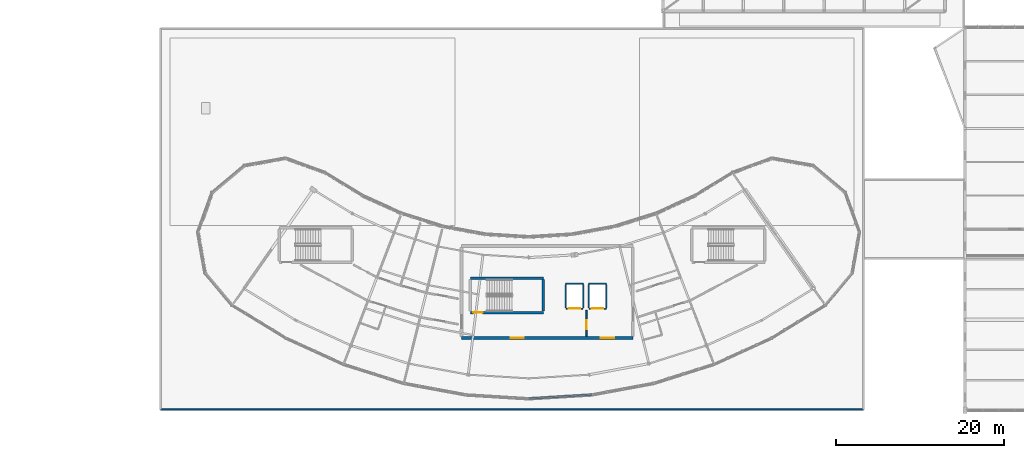
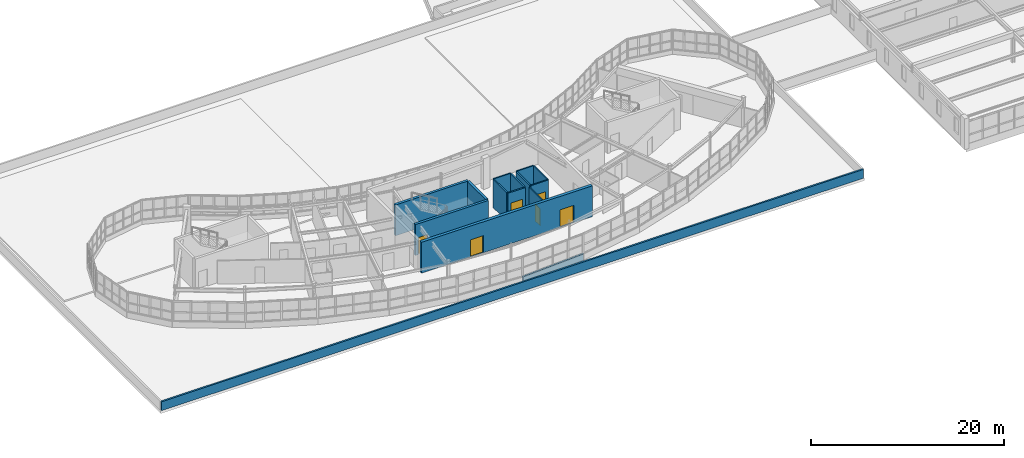
# One storey, part 102 of 128: 15 walls, 6 doors, 6 openings.
"""IFC4 building model written with IfcOpenShell, lengths in metres."""

from ifc_helpers import new_model, si_unit, direction, frame, frame_2d, origin, place, context, subcontext, project, spatial, rectangle, extrude, material, layer, layer_set, type_object, element, fill, save


model = new_model("IFC4")

# Units and contexts
model_context = context("Model", 3, precision=1e-05, world=origin(), true_north=direction((0.0, 1.0)))
body_context = subcontext(model_context, "Body", "Model", "MODEL_VIEW")
ifc_project = project(units=[si_unit("LENGTHUNIT", "METRE"), si_unit("AREAUNIT", "SQUARE_METRE"), si_unit("VOLUMEUNIT", "CUBIC_METRE"), si_unit("PLANEANGLEUNIT", "RADIAN"), si_unit("MASSUNIT", "GRAM", prefix="KILO")], contexts=[model_context])

# Site, building, storey
site_placement = place(None, origin())
site = spatial("IfcSite", under=ifc_project, at=site_placement, CompositionType="ELEMENT")
building_placement = place(site_placement, origin())
building = spatial("IfcBuilding", under=site, at=building_placement, Name="Tarnwether General Hospital", CompositionType="ELEMENT")
storey_placement = place(building_placement, frame((0.0, 0.0, 14.39990234375)))
storey = spatial("IfcBuildingStorey", under=building, at=storey_placement, Name="L03", CompositionType="ELEMENT", Elevation=14.39990234375)

# Walls
ifc_material_1 = material(Name="Streamlined white enamelled aluminium", Category="aluminium")
ifc_layer_1 = layer(ifc_material_1, 0.219970703125)
ifc_layer_set_1 = layer_set([ifc_layer_1], Name="Streamlined white enamelled aluminium")
wall_type_1 = type_object("IfcWallType", Name="WL-EX220", PredefinedType="STANDARD", material=ifc_layer_set_1)
wall_1_placement = place(storey_placement, frame((99.507080078125, 1.85888671875, 0.0), z_axis=(0.0, 0.0, 1.0), x_axis=(-0.99813616181, -0.061026244242, 0.0)))
element("IfcWall", 1, at=wall_1_placement, inside=storey, type_object=wall_type_1, Name="Ward SE Streamlined White Spandrel EW-L03-0160", PredefinedType="STANDARD", context=body_context, shape_type="SweptSolid", body=[
    extrude(rectangle(XDim=7.52099609375, YDim=0.219970703125, at=frame_2d((3.760498046875, 0.0))), origin(), (0.0, 0.0, 1.0), 1.050048828125),
])
ifc_material_2 = material(Name="Precast concrete 40 MPa", Category="concrete")
ifc_layer_2 = layer(ifc_material_2, 0.199951171875)
ifc_layer_set_2 = layer_set([ifc_layer_2], Name="Precast concrete 40 MPa")
wall_type_2 = type_object("IfcWallType", Name="WL-PR200", PredefinedType="PARAPET", material=ifc_layer_set_2)
wall_2_placement = place(storey_placement, frame((131.89990234375, 0.10009765625, 0.330078125), z_axis=(0.0, 0.0, 1.0), x_axis=(-1.0, 0.0, 0.0)))
element("IfcWall", 2, at=wall_2_placement, inside=storey, type_object=wall_type_2, Name="Flat Roof Parapet EW-L03-0358", PredefinedType="PARAPET", context=body_context, shape_type="SweptSolid", body=[
    extrude(rectangle(XDim=83.7998046875, YDim=0.199951171875, at=frame_2d((41.89990234375, 0.0))), origin(), (0.0, 0.0, 1.0), 1.1201171875),
])

# Wall, opening, door
ifc_material_3 = material(Name="Gypsum plasterboard")
ifc_layer_3 = layer(ifc_material_3, 0.159912109375)
ifc_layer_set_3 = layer_set([ifc_layer_3], Name="Gypsum plasterboard")
wall_type_3 = type_object("IfcWallType", Name="WL-PT160", PredefinedType="PARTITIONING", material=ifc_layer_set_3)
wall_3_placement = place(storey_placement, frame((96.409912109375, 12.110107421875, 0.0), z_axis=(0.0, 0.0, 1.0), x_axis=(1.0, 0.0, 0.0)))
wall_3 = element("IfcWall", 3, at=wall_3_placement, inside=storey, type_object=wall_type_3, Name="Lift L-02 Shaft Wall LSH-L-02-L03-S", PredefinedType="PARTITIONING", context=body_context, shape_type="SweptSolid", body=[
    extrude(rectangle(XDim=2.080078125, YDim=0.159912109375, at=frame_2d((1.0400390625, 0.0))), origin(), (0.0, 0.0, 1.0), 3.56005859375),
])
opening_1_placement = place(wall_3_placement, frame((0.340087890625, 0.0, 0.0)))
opening_1 = element("IfcOpeningElement", 4, at=opening_1_placement, cuts=wall_3, Name="Opening LD-01", PredefinedType="OPENING", context=body_context, shape_type="SweptSolid", body=[
    extrude(rectangle(XDim=1.39990234375, YDim=2.199951171875, at=frame_2d((0.699951171875, 1.10009765625))), frame((0.0, 0.08984375, 0.0), z_axis=(0.0, -1.0, 0.0), x_axis=(1.0, 0.0, 0.0)), (0.0, 0.0, 1.0), 0.179931640625),
])
ifc_material_4 = material(Name="Anodised aluminium", Category="aluminium")
door_type_1 = type_object("IfcDoorType", Name="DR-LD01", OperationType="NOTDEFINED", PredefinedType="DOOR", material=ifc_material_4)
door_1_placement = place(opening_1_placement, origin())
door_1 = element("IfcDoor", 5, at=door_1_placement, inside=storey, type_object=door_type_1, Name="Lift L-02 Sliding Landing Door L03", OperationType="SLIDING_TO_LEFT", OverallHeight=2.199951171875, OverallWidth=1.39990234375, PredefinedType="DOOR", context=body_context, shape_type="SweptSolid", body=[
    extrude(rectangle(XDim=1.39990234375, YDim=2.199951171875, at=frame_2d((0.699951171875, 1.10009765625))), frame((0.0, 0.02490234375, 0.0), z_axis=(0.0, -1.0, 0.0), x_axis=(1.0, 0.0, 0.0)), (0.0, 0.0, 1.0), 0.050048828125),
])
fill(opening_1, door_1)

# Walls
wall_4_placement = place(storey_placement, frame((98.489990234375, 15.090087890625, 0.0), z_axis=(0.0, 0.0, 1.0), x_axis=(-1.0, 0.0, 0.0)))
element("IfcWall", 6, at=wall_4_placement, inside=storey, type_object=wall_type_3, Name="Lift L-02 Shaft Wall LSH-L-02-L03-N", PredefinedType="PARTITIONING", context=body_context, shape_type="SweptSolid", body=[
    extrude(rectangle(XDim=2.080078125, YDim=0.159912109375, at=frame_2d((1.0400390625, 0.0))), origin(), (0.0, 0.0, 1.0), 3.56005859375),
])
for number, where, z_axis, x_axis, name in (
    (7, (96.409912109375, 14.989990234375, 0.0), (0.0, 0.0, 1.0), (0.0, -1.0, 0.0), "Lift L-02 Shaft Wall LSH-L-02-L03-W"),
    (8, (98.489990234375, 12.2099609375, 0.0), (0.0, 0.0, 1.0), (0.0, 1.0, 0.0), "Lift L-02 Shaft Wall LSH-L-02-L03-E"),
):
    element("IfcWall", number, at=place(storey_placement, frame(where, z_axis=z_axis, x_axis=x_axis)), inside=storey, type_object=wall_type_3, Name=name, PredefinedType="PARTITIONING", context=body_context, shape_type="SweptSolid", body=[
        extrude(rectangle(XDim=2.780029296875, YDim=0.159912109375, at=frame_2d((1.39013671875, 0.0))), origin(), (0.0, 0.0, 1.0), 3.56005859375),
    ])

# Wall, opening, door
wall_5_placement = place(storey_placement, frame((99.159912109375, 12.110107421875, 0.0), z_axis=(0.0, 0.0, 1.0), x_axis=(1.0, 0.0, 0.0)))
wall_5 = element("IfcWall", 9, at=wall_5_placement, inside=storey, type_object=wall_type_3, Name="Lift L-04 Shaft Wall LSH-L-04-L03-S", PredefinedType="PARTITIONING", context=body_context, shape_type="SweptSolid", body=[
    extrude(rectangle(XDim=2.080078125, YDim=0.159912109375, at=frame_2d((1.0400390625, 0.0))), origin(), (0.0, 0.0, 1.0), 3.56005859375),
])
opening_2_placement = place(wall_5_placement, frame((0.340087890625, 0.0, 0.0)))
opening_2 = element("IfcOpeningElement", 10, at=opening_2_placement, cuts=wall_5, Name="Opening LD-01", PredefinedType="OPENING", context=body_context, shape_type="SweptSolid", body=[
    extrude(rectangle(XDim=1.39990234375, YDim=2.199951171875, at=frame_2d((0.699951171875, 1.10009765625))), frame((0.0, 0.08984375, 0.0), z_axis=(0.0, -1.0, 0.0), x_axis=(1.0, 0.0, 0.0)), (0.0, 0.0, 1.0), 0.179931640625),
])
door_2_placement = place(opening_2_placement, origin())
door_2 = element("IfcDoor", 11, at=door_2_placement, inside=storey, type_object=door_type_1, Name="Lift L-04 Sliding Landing Door L03", OperationType="SLIDING_TO_LEFT", OverallHeight=2.199951171875, OverallWidth=1.39990234375, PredefinedType="DOOR", context=body_context, shape_type="SweptSolid", body=[
    extrude(rectangle(XDim=1.39990234375, YDim=2.199951171875, at=frame_2d((0.699951171875, 1.10009765625))), frame((0.0, 0.02490234375, 0.0), z_axis=(0.0, -1.0, 0.0), x_axis=(1.0, 0.0, 0.0)), (0.0, 0.0, 1.0), 0.050048828125),
])
fill(opening_2, door_2)

# Walls
wall_6_placement = place(storey_placement, frame((101.239990234375, 15.090087890625, 0.0), z_axis=(0.0, 0.0, 1.0), x_axis=(-1.0, 0.0, 0.0)))
element("IfcWall", 12, at=wall_6_placement, inside=storey, type_object=wall_type_3, Name="Lift L-04 Shaft Wall LSH-L-04-L03-N", PredefinedType="PARTITIONING", context=body_context, shape_type="SweptSolid", body=[
    extrude(rectangle(XDim=2.080078125, YDim=0.159912109375, at=frame_2d((1.0400390625, 0.0))), origin(), (0.0, 0.0, 1.0), 3.56005859375),
])
for number, where, z_axis, x_axis, name in (
    (13, (99.159912109375, 14.989990234375, 0.0), (0.0, 0.0, 1.0), (0.0, -1.0, 0.0), "Lift L-04 Shaft Wall LSH-L-04-L03-W"),
    (14, (101.239990234375, 12.2099609375, 0.0), (0.0, 0.0, 1.0), (0.0, 1.0, 0.0), "Lift L-04 Shaft Wall LSH-L-04-L03-E"),
):
    element("IfcWall", number, at=place(storey_placement, frame(where, z_axis=z_axis, x_axis=x_axis)), inside=storey, type_object=wall_type_3, Name=name, PredefinedType="PARTITIONING", context=body_context, shape_type="SweptSolid", body=[
        extrude(rectangle(XDim=2.780029296875, YDim=0.159912109375, at=frame_2d((1.39013671875, 0.0))), origin(), (0.0, 0.0, 1.0), 3.56005859375),
    ])

# Wall, opening, door
wall_7_placement = place(storey_placement, frame((98.89990234375, 8.85009765625, 0.0), z_axis=(0.0, 0.0, 1.0), x_axis=(0.0, 1.0, 0.0)))
wall_7 = element("IfcWall", 15, at=wall_7_placement, inside=storey, type_object=wall_type_3, Name="Firefighting Lobby Divider K2 L03", PredefinedType="PARTITIONING", context=body_context, shape_type="SweptSolid", body=[
    extrude(rectangle(XDim=3.0498046875, YDim=0.159912109375, at=frame_2d((1.52490234375, 0.0))), origin(), (0.0, 0.0, 1.0), 3.56005859375),
])
opening_3_placement = place(wall_7_placement, frame((0.800048828125, 0.0, 0.0)))
opening_3 = element("IfcOpeningElement", 16, at=opening_3_placement, cuts=wall_7, Name="Opening FD-06", PredefinedType="OPENING", context=body_context, shape_type="SweptSolid", body=[
    extrude(rectangle(XDim=1.10009765625, YDim=2.14990234375, at=frame_2d((0.550048828125, 1.074951171875))), frame((0.0, 0.08984375, 0.0), z_axis=(0.0, -1.0, 0.0), x_axis=(1.0, 0.0, 0.0)), (0.0, 0.0, 1.0), 0.179931640625),
])
ifc_material_5 = material(Name="Anodised aluminium", Category="aluminium")
door_type_2 = type_object("IfcDoorType", Name="DR-FD06", OperationType="NOTDEFINED", PredefinedType="DOOR", material=ifc_material_5)
door_3_placement = place(opening_3_placement, origin())
door_3 = element("IfcDoor", 17, at=door_3_placement, inside=storey, type_object=door_type_2, Name="Core K2 Inter-Lobby Smoke Door L03", OperationType="SINGLE_SWING_RIGHT", OverallHeight=2.14990234375, OverallWidth=1.10009765625, PredefinedType="DOOR", context=body_context, shape_type="SweptSolid", body=[
    extrude(rectangle(XDim=1.10009765625, YDim=2.14990234375, at=frame_2d((0.550048828125, 1.074951171875))), frame((0.0, 0.02490234375, 0.0), z_axis=(0.0, -1.0, 0.0), x_axis=(1.0, 0.0, 0.0)), (0.0, 0.0, 1.0), 0.050048828125),
])
fill(opening_3, door_3)

ifc_material_6 = material(Name="Concrete 50 MPa", Category="concrete")
ifc_layer_4 = layer(ifc_material_6, 0.300048828125)
ifc_layer_set_4 = layer_set([ifc_layer_4], Name="Concrete 50 MPa")
wall_type_4 = type_object("IfcWallType", Name="WL-SW300", PredefinedType="SHEAR", material=ifc_layer_set_4)
wall_8_placement = place(storey_placement, frame((85.050048828125, 11.64990234375, 0.0), z_axis=(0.0, 0.0, 1.0), x_axis=(1.0, 0.0, 0.0)))
wall_8 = element("IfcWall", 18, at=wall_8_placement, inside=storey, type_object=wall_type_4, Name="Stairwell Shear Wall STW-ST-02-L03-B", PredefinedType="SHEAR", context=body_context, shape_type="SweptSolid", body=[
    extrude(rectangle(XDim=8.699951171875, YDim=0.300048828125, at=frame_2d((4.35009765625, 0.0))), origin(), (0.0, 0.0, 1.0), 3.900146484375),
])
opening_4_placement = place(wall_8_placement, frame((0.35009765625, 0.0, 0.0)))
opening_4 = element("IfcOpeningElement", 19, at=opening_4_placement, cuts=wall_8, Name="Opening FD-06", PredefinedType="OPENING", context=body_context, shape_type="SweptSolid", body=[
    extrude(rectangle(XDim=1.10009765625, YDim=2.14990234375, at=frame_2d((0.550048828125, 1.074951171875))), frame((0.0, 0.16015625, 0.0), z_axis=(0.0, -1.0, 0.0), x_axis=(1.0, 0.0, 0.0)), (0.0, 0.0, 1.0), 0.320068359375),
])
door_4_placement = place(opening_4_placement, origin())
door_4 = element("IfcDoor", 20, at=door_4_placement, inside=storey, type_object=door_type_2, Name="Stairwell ST-02 Safe-Path Fire Door L03", OperationType="SINGLE_SWING_LEFT", OverallHeight=2.14990234375, OverallWidth=1.10009765625, PredefinedType="DOOR", context=body_context, shape_type="SweptSolid", body=[
    extrude(rectangle(XDim=1.10009765625, YDim=2.14990234375, at=frame_2d((0.550048828125, 1.074951171875))), frame((0.0, 0.02490234375, 0.0), z_axis=(0.0, -1.0, 0.0), x_axis=(1.0, 0.0, 0.0)), (0.0, 0.0, 1.0), 0.050048828125),
])
fill(opening_4, door_4)

# Walls
wall_9_placement = place(storey_placement, frame((93.75, 15.75, 0.0), z_axis=(0.0, 0.0, 1.0), x_axis=(-1.0, 0.0, 0.0)))
element("IfcWall", 21, at=wall_9_placement, inside=storey, type_object=wall_type_4, Name="Stairwell Shear Wall STW-ST-02-L03-N", PredefinedType="SHEAR", context=body_context, shape_type="SweptSolid", body=[
    extrude(rectangle(XDim=8.699951171875, YDim=0.300048828125, at=frame_2d((4.35009765625, 0.0))), origin(), (0.0, 0.0, 1.0), 3.900146484375),
])
wall_10_placement = place(storey_placement, frame((93.75, 11.820068359375, 0.0), z_axis=(0.0, 0.0, 1.0), x_axis=(0.0, 1.0, 0.0)))
element("IfcWall", 22, at=wall_10_placement, inside=storey, type_object=wall_type_4, Name="Stairwell Shear Wall STW-ST-02-L03-F", PredefinedType="SHEAR", context=body_context, shape_type="SweptSolid", body=[
    extrude(rectangle(XDim=3.760009765625, YDim=0.300048828125, at=frame_2d((1.8798828125, 0.0))), origin(), (0.0, 0.0, 1.0), 3.900146484375),
])

# Wall, openings, doors
ifc_material_7 = material(Name="Concrete 50 MPa", Category="concrete")
ifc_layer_5 = layer(ifc_material_7, 0.35009765625)
ifc_layer_set_5 = layer_set([ifc_layer_5], Name="Concrete 50 MPa")
wall_type_5 = type_object("IfcWallType", Name="WL-SW350", PredefinedType="SHEAR", material=ifc_layer_set_5)
wall_11_placement = place(storey_placement, frame((104.39990234375, 8.60009765625, 0.0), z_axis=(0.0, 0.0, 1.0), x_axis=(-1.0, 0.0, 0.0)))
wall_11 = element("IfcWall", 23, at=wall_11_placement, inside=storey, type_object=wall_type_5, Name="Core Shear Wall CWALL-K2-L03-S", PredefinedType="SHEAR", context=body_context, shape_type="SweptSolid", body=[
    extrude(rectangle(XDim=20.39990234375, YDim=0.35009765625, at=frame_2d((10.199951171875, 0.0))), origin(), (0.0, 0.0, 1.0), 3.900146484375),
])
opening_5_placement = place(wall_11_placement, frame((2.199951171875, 0.0, 0.0)))
opening_5 = element("IfcOpeningElement", 24, at=opening_5_placement, cuts=wall_11, Name="Opening FD-01", PredefinedType="OPENING", context=body_context, shape_type="SweptSolid", body=[
    extrude(rectangle(XDim=1.639892578125, YDim=2.199951171875, at=frame_2d((0.81982421875, 1.10009765625))), frame((0.0, 0.18505859375, 0.0), z_axis=(0.0, -1.0, 0.0), x_axis=(1.0, 0.0, 0.0)), (0.0, 0.0, 1.0), 0.3701171875),
])
opening_6_placement = place(wall_11_placement, frame((13.0, 0.0, 0.0)))
opening_6 = element("IfcOpeningElement", 25, at=opening_6_placement, cuts=wall_11, Name="Opening FD-02", PredefinedType="OPENING", context=body_context, shape_type="SweptSolid", body=[
    extrude(rectangle(XDim=1.52001953125, YDim=2.159912109375, at=frame_2d((0.760009765625, 1.080078125))), frame((0.0, 0.18505859375, 0.0), z_axis=(0.0, -1.0, 0.0), x_axis=(1.0, 0.0, 0.0)), (0.0, 0.0, 1.0), 0.3701171875),
])
ifc_material_8 = material(Name="Anodised aluminium", Category="aluminium")
door_type_3 = type_object("IfcDoorType", Name="DR-FD01", OperationType="NOTDEFINED", PredefinedType="DOOR", material=ifc_material_8)
door_5_placement = place(opening_5_placement, origin())
door_5 = element("IfcDoor", 26, at=door_5_placement, inside=storey, type_object=door_type_3, Name="Core K2 Lobby Fire Door L03", OperationType="DOUBLE_DOOR_SINGLE_SWING", OverallHeight=2.199951171875, OverallWidth=1.639892578125, PredefinedType="DOOR", context=body_context, shape_type="SweptSolid", body=[
    extrude(rectangle(XDim=1.639892578125, YDim=2.199951171875, at=frame_2d((0.81982421875, 1.10009765625))), frame((0.0, 0.02490234375, 0.0), z_axis=(0.0, -1.0, 0.0), x_axis=(1.0, 0.0, 0.0)), (0.0, 0.0, 1.0), 0.050048828125),
])
fill(opening_5, door_5)
ifc_material_9 = material(Name="Anodised aluminium", Category="aluminium")
door_type_4 = type_object("IfcDoorType", Name="DR-FD02", OperationType="NOTDEFINED", PredefinedType="DOOR", material=ifc_material_9)
door_6_placement = place(opening_6_placement, origin())
door_6 = element("IfcDoor", 27, at=door_6_placement, inside=storey, type_object=door_type_4, Name="Core K2 Firefighting Lobby Door L03", OperationType="SINGLE_SWING_LEFT", OverallHeight=2.159912109375, OverallWidth=1.52001953125, PredefinedType="DOOR", context=body_context, shape_type="SweptSolid", body=[
    extrude(rectangle(XDim=1.52001953125, YDim=2.159912109375, at=frame_2d((0.760009765625, 1.080078125))), frame((0.0, 0.02490234375, 0.0), z_axis=(0.0, -1.0, 0.0), x_axis=(1.0, 0.0, 0.0)), (0.0, 0.0, 1.0), 0.050048828125),
])
fill(opening_6, door_6)

save(model, "model.ifc")
